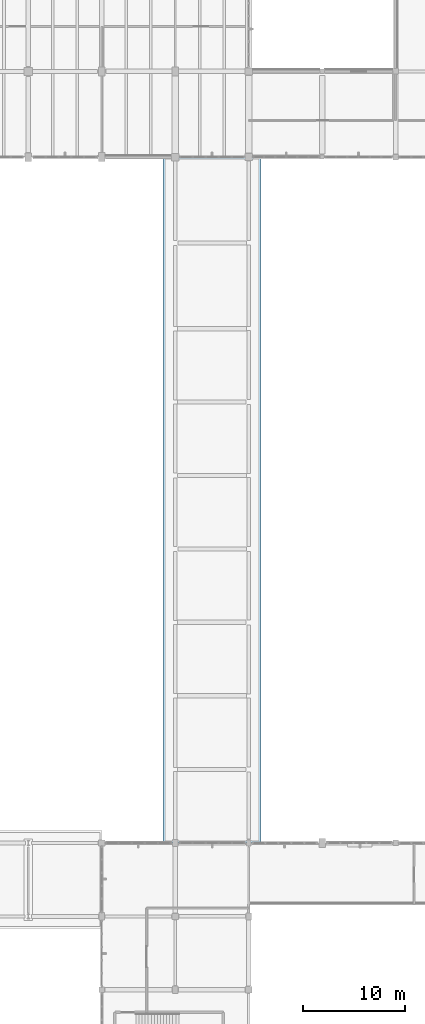
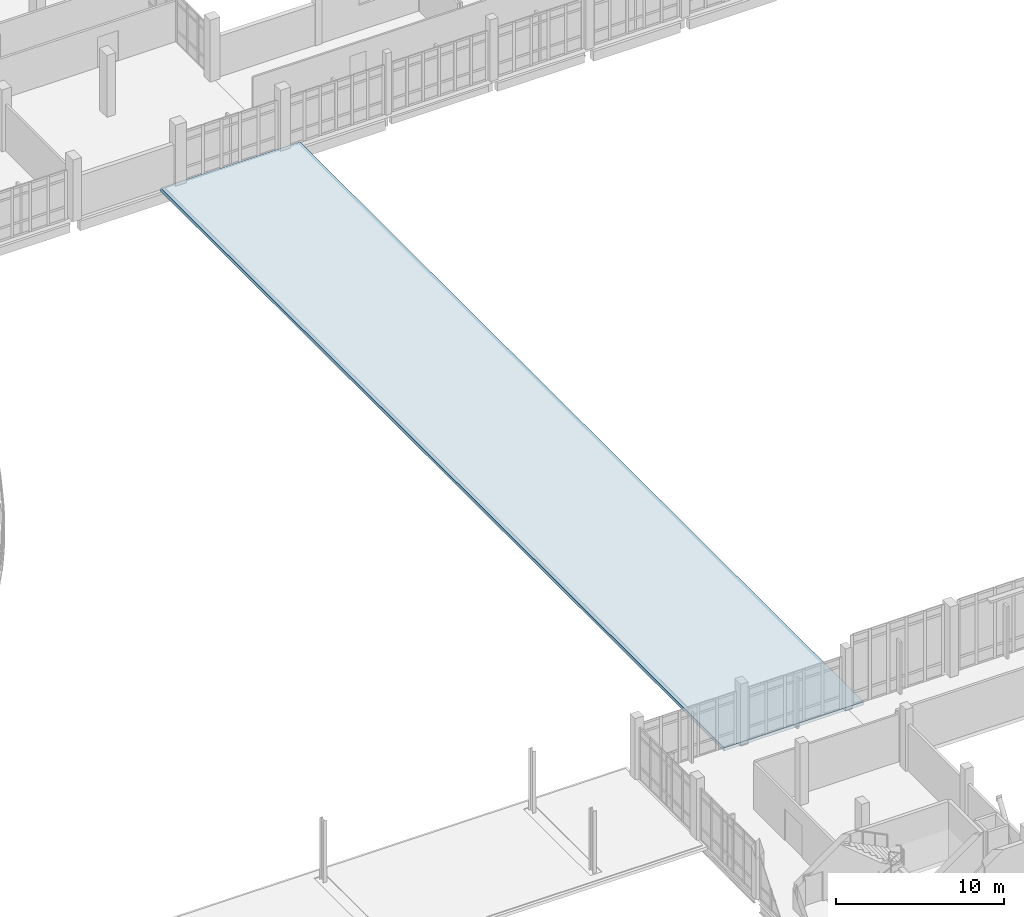
# One storey, part 102 of 134: 1 slab.
"""IFC4 building model written with IfcOpenShell, lengths in metres."""

from ifc_helpers import new_model, si_unit, direction, frame, origin, place, context, subcontext, project, spatial, polyline, outline, extrude, material, layer, layer_set, type_object, element, save


model = new_model("IFC4")

# Units and contexts
model_context = context("Model", 3, precision=1e-05, world=origin(), true_north=direction((0.0, 1.0)))
body_context = subcontext(model_context, "Body", "Model", "MODEL_VIEW")
ifc_project = project(units=[si_unit("LENGTHUNIT", "METRE"), si_unit("AREAUNIT", "SQUARE_METRE"), si_unit("VOLUMEUNIT", "CUBIC_METRE"), si_unit("PLANEANGLEUNIT", "RADIAN"), si_unit("MASSUNIT", "GRAM", prefix="KILO")], contexts=[model_context])

# Site, building, storey
site_placement = place(None, origin())
site = spatial("IfcSite", under=ifc_project, at=site_placement, CompositionType="ELEMENT")
building_placement = place(site_placement, origin())
building = spatial("IfcBuilding", under=site, at=building_placement, Name="Kalluvel Institute of Natural Sciences", CompositionType="ELEMENT")
storey_placement = place(building_placement, frame((0.0, 0.0, 5.39990234375)))
storey = spatial("IfcBuildingStorey", under=building, at=storey_placement, Name="L01", CompositionType="ELEMENT", Elevation=5.39990234375)

# Slab
ifc_material = material(Name="Sadarahalli Granite Precast Concrete M45", Category="masonry")
ifc_layer = layer(ifc_material, 0.239990234375)
ifc_layer_set = layer_set([ifc_layer], Name="Sadarahalli Granite Precast Concrete M45")
slab_type = type_object("IfcSlabType", Name="SLB-COL-240", PredefinedType="ROOF", material=ifc_layer_set)
slab_placement = place(storey_placement, frame((0.0, 0.0, -0.239990234375)))
element("IfcSlab", 1, at=slab_placement, inside=storey, type_object=slab_type, Name="Gothic Pointed-Lancet Cloister Monsoon Canopy 2", PredefinedType="ROOF", context=body_context, shape_type="SweptSolid", body=[
    extrude(outline(polyline([(106.39990234375, 35.60009765625), (116.0, 35.60009765625), (116.0, 102.800048828125), (106.39990234375, 102.800048828125), (106.39990234375, 35.60009765625)])), origin(), (0.0, 0.0, 1.0), 0.239990234375),
])

save(model, "model.ifc")
